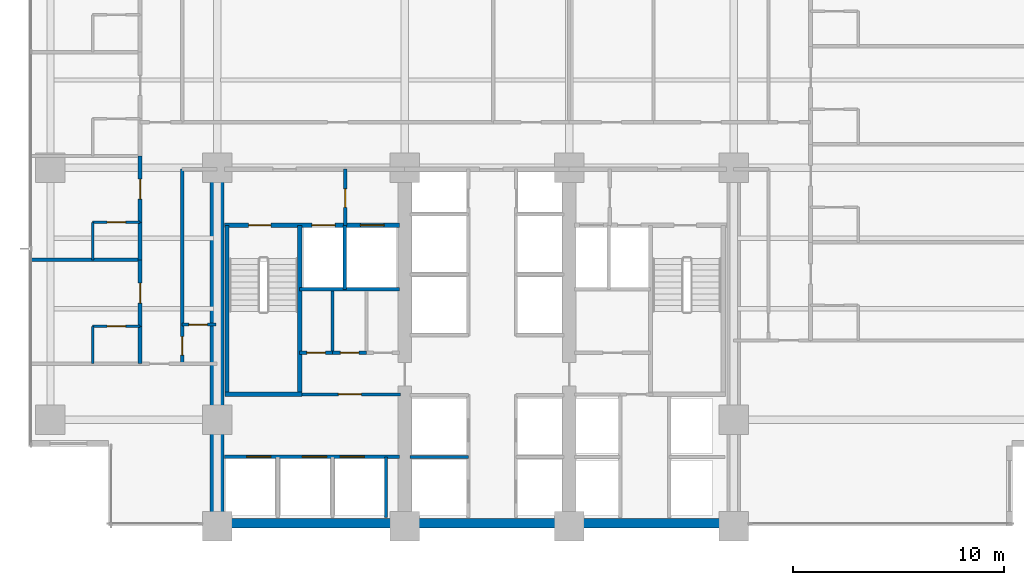
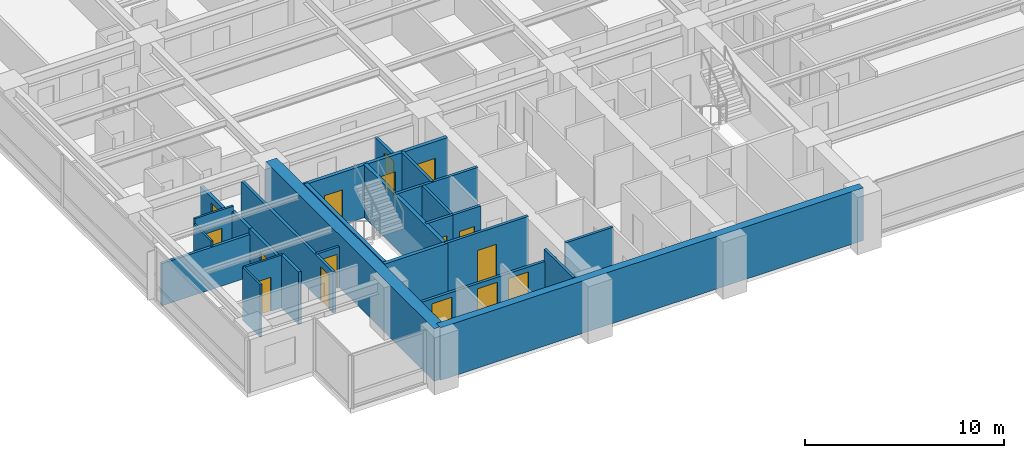
# One storey, part 7 of 16: 27 walls, 16 doors, 16 openings.
"""IFC4 building model written with IfcOpenShell, lengths in metres."""

from ifc_helpers import new_model, si_unit, direction, frame, frame_2d, origin, place, context, subcontext, project, spatial, rectangle, extrude, material, layer, layer_set, type_object, element, fill, save


model = new_model("IFC4")

# Units and contexts
model_context = context("Model", 3, precision=1e-05, world=origin(), true_north=direction((0.0, 1.0)))
body_context = subcontext(model_context, "Body", "Model", "MODEL_VIEW")
ifc_project = project(units=[si_unit("LENGTHUNIT", "METRE"), si_unit("AREAUNIT", "SQUARE_METRE"), si_unit("VOLUMEUNIT", "CUBIC_METRE"), si_unit("PLANEANGLEUNIT", "RADIAN"), si_unit("MASSUNIT", "GRAM", prefix="KILO")], contexts=[model_context])

# Site, building, storey
site_placement = place(None, origin())
site = spatial("IfcSite", under=ifc_project, at=site_placement, CompositionType="ELEMENT")
building_placement = place(site_placement, origin())
building = spatial("IfcBuilding", under=site, at=building_placement, Name="Qalmaran Belvedere Hotel", CompositionType="ELEMENT")
storey_placement = place(building_placement, frame((0.0, 0.0, 57.89990234375)))
storey = spatial("IfcBuildingStorey", under=building, at=storey_placement, Name="L14", CompositionType="ELEMENT", Elevation=57.89990234375)

# Walls
ifc_material_1 = material(Name="Concrete C60/75", Category="concrete")
ifc_layer_1 = layer(ifc_material_1, 0.64990234375, Name="Concrete C60/75")
ifc_layer_set_1 = layer_set([ifc_layer_1], Name="Concrete C60/75")
wall_type_1 = type_object("IfcWallType", Name="WL-CORE-650-C60", PredefinedType="SHEAR", material=ifc_layer_set_1)
wall_1_placement = place(storey_placement, frame((20.300048828125, 3.5, 0.0), z_axis=(0.0, 0.0, 1.0), x_axis=(0.0, 1.0, 0.0)))
element("IfcWall", 1, at=wall_1_placement, inside=storey, type_object=wall_type_1, Name="L14 West Core Shear Wall", PredefinedType="SHEAR", context=body_context, shape_type="SweptSolid", body=[
    extrude(rectangle(XDim=16.89990234375, YDim=0.64990234375, at=frame_2d((8.449951171875, 0.0))), origin(), (0.0, 0.0, 1.0), 3.22021484375),
])
ifc_material_2 = material(Name="Concrete C50/60", Category="concrete")
ifc_layer_2 = layer(ifc_material_2, 0.43994140625, Name="Concrete C50/60")
ifc_layer_set_2 = layer_set([ifc_layer_2], Name="Concrete C50/60")
wall_type_2 = type_object("IfcWallType", Name="WL-CORES-440-EXT", PredefinedType="SHEAR", material=ifc_layer_set_2)
wall_2_placement = place(storey_placement, frame((20.300048828125, 3.6298828125, 0.0), z_axis=(0.0, 0.0, 1.0), x_axis=(1.0, 0.0, 0.0)))
element("IfcWall", 2, at=wall_2_placement, inside=storey, type_object=wall_type_2, Name="L14 South Core Shear Wall", PredefinedType="SHEAR", context=body_context, shape_type="SweptSolid", body=[
    extrude(rectangle(XDim=24.5, YDim=0.43994140625, at=frame_2d((12.25, 0.0))), origin(), (0.0, 0.0, 1.0), 3.22021484375),
])

# Wall, opening, door
ifc_material_3 = material(Name="Moisture-Resistant Gypsum")
ifc_layer_3 = layer(ifc_material_3, 0.1201171875, Name="Moisture-Resistant Gypsum")
ifc_layer_set_3 = layer_set([ifc_layer_3], Name="Moisture-Resistant Gypsum")
wall_type_3 = type_object("IfcWallType", Name="WL-INT-120-BATH", PredefinedType="PARTITIONING", material=ifc_layer_set_3)
wall_3_placement = place(storey_placement, frame((14.39990234375, 12.969970703125, 0.0), z_axis=(0.0, 0.0, 1.0), x_axis=(1.0, 0.0, 0.0)))
wall_3 = element("IfcWall", 3, at=wall_3_placement, inside=storey, type_object=wall_type_3, Name="L14 Partition WL-L14-WBN00", PredefinedType="PARTITIONING", context=body_context, shape_type="SweptSolid", body=[
    extrude(rectangle(XDim=2.25, YDim=0.1201171875, at=frame_2d((1.125, 0.0))), origin(), (0.0, 0.0, 1.0), 3.22021484375),
])
opening_1_placement = place(wall_3_placement, frame((1.56494140625, 0.0, 0.0), z_axis=(0.0, 0.0, 1.0), x_axis=(-1.0, 0.0, 0.0)))
opening_1 = element("IfcOpeningElement", 4, at=opening_1_placement, cuts=wall_3, Name="Opening D-BATH", PredefinedType="OPENING", context=body_context, shape_type="SweptSolid", body=[
    extrude(rectangle(XDim=0.8798828125, YDim=2.080078125, at=frame_2d((0.43994140625, 1.0400390625))), frame((0.0, 0.070068359375, 0.0), z_axis=(0.0, -1.0, 0.0), x_axis=(1.0, 0.0, 0.0)), (0.0, 0.0, 1.0), 0.14013671875),
])
ifc_material_4 = material(Name="Engineered Oak Veneer")
door_type_1 = type_object("IfcDoorType", Name="DR-INT-BATH-880X2080", OperationType="NOTDEFINED", PredefinedType="DOOR", material=ifc_material_4)
door_1_placement = place(opening_1_placement, origin())
door_1 = element("IfcDoor", 5, at=door_1_placement, inside=storey, type_object=door_type_1, Name="L14 W Ensuite Door 01", OperationType="SINGLE_SWING_LEFT", OverallHeight=2.080078125, OverallWidth=0.8798828125, PredefinedType="DOOR", context=body_context, shape_type="SweptSolid", body=[
    extrude(rectangle(XDim=0.8798828125, YDim=2.080078125, at=frame_2d((0.43994140625, 1.0400390625))), frame((0.0, 0.02490234375, 0.0), z_axis=(0.0, -1.0, 0.0), x_axis=(1.0, 0.0, 0.0)), (0.0, 0.0, 1.0), 0.050048828125),
])
fill(opening_1, door_1)

# Wall
wall_4_placement = place(storey_placement, frame((14.39990234375, 11.199951171875, 0.0), z_axis=(0.0, 0.0, 1.0), x_axis=(0.0, 1.0, 0.0)))
element("IfcWall", 6, at=wall_4_placement, inside=storey, type_object=wall_type_3, Name="L14 Partition WL-L14-WBS00", PredefinedType="PARTITIONING", context=body_context, shape_type="SweptSolid", body=[
    extrude(rectangle(XDim=1.77001953125, YDim=0.1201171875, at=frame_2d((0.885009765625, 0.0))), origin(), (0.0, 0.0, 1.0), 3.22021484375),
])

# Wall, opening, door
wall_5_placement = place(storey_placement, frame((14.39990234375, 17.89501953125, 0.0), z_axis=(0.0, 0.0, 1.0), x_axis=(1.0, 0.0, 0.0)))
wall_5 = element("IfcWall", 7, at=wall_5_placement, inside=storey, type_object=wall_type_3, Name="L14 Partition WL-L14-WBN01", PredefinedType="PARTITIONING", context=body_context, shape_type="SweptSolid", body=[
    extrude(rectangle(XDim=2.25, YDim=0.1201171875, at=frame_2d((1.125, 0.0))), origin(), (0.0, 0.0, 1.0), 3.22021484375),
])
opening_2_placement = place(wall_5_placement, frame((1.56494140625, 0.0, 0.0), z_axis=(0.0, 0.0, 1.0), x_axis=(-1.0, 0.0, 0.0)))
opening_2 = element("IfcOpeningElement", 8, at=opening_2_placement, cuts=wall_5, Name="Opening D-BATH", PredefinedType="OPENING", context=body_context, shape_type="SweptSolid", body=[
    extrude(rectangle(XDim=0.8798828125, YDim=2.080078125, at=frame_2d((0.43994140625, 1.0400390625))), frame((0.0, 0.070068359375, 0.0), z_axis=(0.0, -1.0, 0.0), x_axis=(1.0, 0.0, 0.0)), (0.0, 0.0, 1.0), 0.14013671875),
])
door_2_placement = place(opening_2_placement, origin())
door_2 = element("IfcDoor", 9, at=door_2_placement, inside=storey, type_object=door_type_1, Name="L14 W Ensuite Door 02", OperationType="SINGLE_SWING_LEFT", OverallHeight=2.080078125, OverallWidth=0.8798828125, PredefinedType="DOOR", context=body_context, shape_type="SweptSolid", body=[
    extrude(rectangle(XDim=0.8798828125, YDim=2.080078125, at=frame_2d((0.43994140625, 1.0400390625))), frame((0.0, 0.02490234375, 0.0), z_axis=(0.0, -1.0, 0.0), x_axis=(1.0, 0.0, 0.0)), (0.0, 0.0, 1.0), 0.050048828125),
])
fill(opening_2, door_2)

# Wall
wall_6_placement = place(storey_placement, frame((14.39990234375, 16.125, 0.0), z_axis=(0.0, 0.0, 1.0), x_axis=(0.0, 1.0, 0.0)))
element("IfcWall", 10, at=wall_6_placement, inside=storey, type_object=wall_type_3, Name="L14 Partition WL-L14-WBS01", PredefinedType="PARTITIONING", context=body_context, shape_type="SweptSolid", body=[
    extrude(rectangle(XDim=1.77001953125, YDim=0.1201171875, at=frame_2d((0.885009765625, 0.0))), origin(), (0.0, 0.0, 1.0), 2.902099609375),
])

# Wall, opening, door
ifc_material_5 = material(Name="Gypsum Stud Partition")
ifc_layer_4 = layer(ifc_material_5, 0.139892578125, Name="Gypsum Stud Partition")
ifc_layer_set_4 = layer_set([ifc_layer_4], Name="Gypsum Stud Partition")
wall_type_4 = type_object("IfcWallType", Name="WL-INT-140-NR", PredefinedType="PARTITIONING", material=ifc_layer_set_4)
wall_7_placement = place(storey_placement, frame((18.64990234375, 13.050048828125, 0.0), z_axis=(0.0, 0.0, 1.0), x_axis=(1.0, 0.0, 0.0)))
wall_7 = element("IfcWall", 11, at=wall_7_placement, inside=storey, type_object=wall_type_4, Name="L14 Partition WL-L14-WCLSUB", PredefinedType="PARTITIONING", context=body_context, shape_type="SweptSolid", body=[
    extrude(rectangle(XDim=1.60009765625, YDim=0.139892578125, at=frame_2d((0.800048828125, 0.0))), origin(), (0.0, 0.0, 1.0), 2.510009765625),
])
opening_3_placement = place(wall_7_placement, frame((1.193115234375, 0.0, 0.0), z_axis=(0.0, 0.0, 1.0), x_axis=(-1.0, 0.0, 0.0)))
opening_3 = element("IfcOpeningElement", 12, at=opening_3_placement, cuts=wall_7, Name="Opening D-BATH", PredefinedType="OPENING", context=body_context, shape_type="SweptSolid", body=[
    extrude(rectangle(XDim=0.8798828125, YDim=2.080078125, at=frame_2d((0.43994140625, 1.0400390625))), frame((0.0, 0.080078125, 0.0), z_axis=(0.0, -1.0, 0.0), x_axis=(1.0, 0.0, 0.0)), (0.0, 0.0, 1.0), 0.159912109375),
])
door_3_placement = place(opening_3_placement, origin())
door_3 = element("IfcDoor", 13, at=door_3_placement, inside=storey, type_object=door_type_1, Name="L14 Closet Alcove Door", OperationType="SINGLE_SWING_RIGHT", OverallHeight=2.080078125, OverallWidth=0.8798828125, PredefinedType="DOOR", context=body_context, shape_type="SweptSolid", body=[
    extrude(rectangle(XDim=0.8798828125, YDim=2.080078125, at=frame_2d((0.43994140625, 1.0400390625))), frame((0.0, 0.02490234375, 0.0), z_axis=(0.0, -1.0, 0.0), x_axis=(1.0, 0.0, 0.0)), (0.0, 0.0, 1.0), 0.050048828125),
])
fill(opening_3, door_3)

# Walls
ifc_layer_5 = layer(ifc_material_5, 0.14990234375, Name="Gypsum Stud Partition")
ifc_layer_set_5 = layer_set([ifc_layer_5], Name="Gypsum Stud Partition")
wall_type_5 = type_object("IfcWallType", Name="WL-INT-150-EI120", PredefinedType="PARTITIONING", material=ifc_layer_set_5)
wall_8_placement = place(storey_placement, frame((26.360107421875, 14.719970703125, 0.0), z_axis=(0.0, 0.0, 1.0), x_axis=(0.0, 1.0, 0.0)))
element("IfcWall", 14, at=wall_8_placement, inside=storey, type_object=wall_type_5, Name="L14 Partition WL-FF1M-L14", PredefinedType="PARTITIONING", context=body_context, shape_type="SweptSolid", body=[
    extrude(rectangle(XDim=3.0400390625, YDim=0.14990234375, at=frame_2d((1.52001953125, 0.0))), origin(), (0.0, 0.0, 1.0), 3.22021484375),
])
wall_9_placement = place(storey_placement, frame((28.320068359375, 3.89990234375, 0.0), z_axis=(0.0, 0.0, 1.0), x_axis=(0.0, 1.0, 0.0)))
element("IfcWall", 15, at=wall_9_placement, inside=storey, type_object=wall_type_5, Name="L14 Partition WL-POM3-L14", PredefinedType="PARTITIONING", context=body_context, shape_type="SweptSolid", body=[
    extrude(rectangle(XDim=2.880126953125, YDim=0.14990234375, at=frame_2d((1.43994140625, 0.0))), origin(), (0.0, 0.0, 1.0), 3.22021484375),
])
wall_10_placement = place(storey_placement, frame((29.449951171875, 6.780029296875, 0.0), z_axis=(0.0, 0.0, 1.0), x_axis=(1.0, 0.0, 0.0)))
element("IfcWall", 16, at=wall_10_placement, inside=storey, type_object=wall_type_5, Name="L14 Partition WL-PLW-L14-67", PredefinedType="PARTITIONING", context=body_context, shape_type="SweptSolid", body=[
    extrude(rectangle(XDim=2.77001953125, YDim=0.14990234375, at=frame_2d((1.385009765625, 0.0))), origin(), (0.0, 0.0, 1.0), 3.22021484375),
])
ifc_layer_6 = layer(ifc_material_5, 0.14990234375, Name="Gypsum Stud Partition")
ifc_layer_set_6 = layer_set([ifc_layer_6], Name="Gypsum Stud Partition")
wall_type_6 = type_object("IfcWallType", Name="WL-INT-150-EI60", PredefinedType="PARTITIONING", material=ifc_layer_set_6)
wall_11_placement = place(storey_placement, frame((25.781005859375, 11.719970703125, 0.0), z_axis=(0.0, 0.0, 1.0), x_axis=(0.0, 1.0, 0.0)))
element("IfcWall", 17, at=wall_11_placement, inside=storey, type_object=wall_type_6, Name="L14 Partition WL-L14-KWV1", PredefinedType="PARTITIONING", context=body_context, shape_type="SweptSolid", body=[
    extrude(rectangle(XDim=2.929931640625, YDim=0.14990234375, at=frame_2d((1.46484375, 0.0))), origin(), (0.0, 0.0, 1.0), 3.22021484375),
])

# Wall, opening, door
ifc_layer_7 = layer(ifc_material_5, 0.159912109375, Name="Gypsum Stud Partition")
ifc_layer_set_7 = layer_set([ifc_layer_7], Name="Gypsum Stud Partition")
wall_type_7 = type_object("IfcWallType", Name="WL-INT-160-EI120", PredefinedType="PARTITIONING", material=ifc_layer_set_7)
wall_12_placement = place(storey_placement, frame((26.3798828125, 17.760009765625, 0.0), z_axis=(0.0, 0.0, 1.0), x_axis=(0.0, 1.0, 0.0)))
wall_12 = element("IfcWall", 18, at=wall_12_placement, inside=storey, type_object=wall_type_7, Name="L14 Partition WL-FFSV1-L14", PredefinedType="PARTITIONING", context=body_context, shape_type="SweptSolid", body=[
    extrude(rectangle(XDim=2.659912109375, YDim=0.159912109375, at=frame_2d((1.330078125, 0.0))), origin(), (0.0, 0.0, 1.0), 2.510009765625),
])
opening_4_placement = place(wall_12_placement, frame((0.85009765625, 0.0, 0.0)))
opening_4 = element("IfcOpeningElement", 19, at=opening_4_placement, cuts=wall_12, Name="Opening FD60B", PredefinedType="OPENING", context=body_context, shape_type="SweptSolid", body=[
    extrude(rectangle(XDim=0.8798828125, YDim=2.080078125, at=frame_2d((0.43994140625, 1.0400390625))), frame((0.0, 0.08984375, 0.0), z_axis=(0.0, -1.0, 0.0), x_axis=(1.0, 0.0, 0.0)), (0.0, 0.0, 1.0), 0.179931640625),
])
ifc_material_6 = material(Name="Steel S355JR", Category="steel")
door_type_2 = type_object("IfcDoorType", Name="DR-FD60B-880X2080", OperationType="NOTDEFINED", PredefinedType="DOOR", material=ifc_material_6)
door_4_placement = place(opening_4_placement, origin())
door_4 = element("IfcDoor", 20, at=door_4_placement, inside=storey, type_object=door_type_2, Name="L14 Service Lobby West Door", OperationType="SINGLE_SWING_RIGHT", OverallHeight=2.080078125, OverallWidth=0.8798828125, PredefinedType="DOOR", context=body_context, shape_type="SweptSolid", body=[
    extrude(rectangle(XDim=0.8798828125, YDim=2.080078125, at=frame_2d((0.43994140625, 1.0400390625))), frame((0.0, 0.02490234375, 0.0), z_axis=(0.0, -1.0, 0.0), x_axis=(1.0, 0.0, 0.0)), (0.0, 0.0, 1.0), 0.050048828125),
])
fill(opening_4, door_4)

# Wall
wall_13_placement = place(storey_placement, frame((24.219970703125, 14.719970703125, 0.0), z_axis=(0.0, 0.0, 1.0), x_axis=(1.0, 0.0, 0.0)))
element("IfcWall", 21, at=wall_13_placement, inside=storey, type_object=wall_type_7, Name="L14 Partition WL-FF1S-L14", PredefinedType="PARTITIONING", context=body_context, shape_type="SweptSolid", body=[
    extrude(rectangle(XDim=4.72998046875, YDim=0.159912109375, at=frame_2d((2.364990234375, 0.0))), origin(), (0.0, 0.0, 1.0), 3.22021484375),
])

# Wall, openings, doors
wall_14_placement = place(storey_placement, frame((20.64990234375, 6.780029296875, 0.0), z_axis=(0.0, 0.0, 1.0), x_axis=(1.0, 0.0, 0.0)))
wall_14 = element("IfcWall", 22, at=wall_14_placement, inside=storey, type_object=wall_type_7, Name="L14 Partition WL-POS-L14", PredefinedType="PARTITIONING", context=body_context, shape_type="SweptSolid", body=[
    extrude(rectangle(XDim=8.300048828125, YDim=0.159912109375, at=frame_2d((4.14990234375, 0.0))), origin(), (0.0, 0.0, 1.0), 2.510009765625),
])
opening_5_placement = place(wall_14_placement, frame((3.69482421875, 0.0, 0.0)))
opening_5 = element("IfcOpeningElement", 23, at=opening_5_placement, cuts=wall_14, Name="Opening LD-PO", PredefinedType="OPENING", context=body_context, shape_type="SweptSolid", body=[
    extrude(rectangle(XDim=1.14990234375, YDim=2.199951171875, at=frame_2d((0.574951171875, 1.10009765625))), frame((0.0, 0.08984375, 0.0), z_axis=(0.0, -1.0, 0.0), x_axis=(1.0, 0.0, 0.0)), (0.0, 0.0, 1.0), 0.179931640625),
])
opening_6_placement = place(wall_14_placement, frame((5.4921875, 0.0, 0.0)))
opening_6 = element("IfcOpeningElement", 24, at=opening_6_placement, cuts=wall_14, Name="Opening LD-PO", PredefinedType="OPENING", context=body_context, shape_type="SweptSolid", body=[
    extrude(rectangle(XDim=1.14990234375, YDim=2.199951171875, at=frame_2d((0.574951171875, 1.10009765625))), frame((0.0, 0.08984375, 0.0), z_axis=(0.0, -1.0, 0.0), x_axis=(1.0, 0.0, 0.0)), (0.0, 0.0, 1.0), 0.179931640625),
])
opening_7_placement = place(wall_14_placement, frame((1.058837890625, 0.0, 0.0)))
opening_7 = element("IfcOpeningElement", 25, at=opening_7_placement, cuts=wall_14, Name="Opening LD-PO", PredefinedType="OPENING", context=body_context, shape_type="SweptSolid", body=[
    extrude(rectangle(XDim=1.14990234375, YDim=2.199951171875, at=frame_2d((0.574951171875, 1.10009765625))), frame((0.0, 0.08984375, 0.0), z_axis=(0.0, -1.0, 0.0), x_axis=(1.0, 0.0, 0.0)), (0.0, 0.0, 1.0), 0.179931640625),
])
ifc_material_7 = material(Name="Anodised Bronze Aluminium", Category="aluminium")
door_type_3 = type_object("IfcDoorType", Name="DR-LIFT-PO-1150X2200", OperationType="DOUBLE_DOOR_SLIDING", PredefinedType="DOOR", material=ifc_material_7)
door_5_placement = place(opening_5_placement, origin())
door_5 = element("IfcDoor", 26, at=door_5_placement, inside=storey, type_object=door_type_3, Name="L14 PO1 Shuttle Landing Door", OperationType="DOUBLE_DOOR_SLIDING", OverallHeight=2.199951171875, OverallWidth=1.14990234375, PredefinedType="DOOR", context=body_context, shape_type="SweptSolid", body=[
    extrude(rectangle(XDim=1.14990234375, YDim=2.199951171875, at=frame_2d((0.574951171875, 1.10009765625))), frame((0.0, 0.02490234375, 0.0), z_axis=(0.0, -1.0, 0.0), x_axis=(1.0, 0.0, 0.0)), (0.0, 0.0, 1.0), 0.050048828125),
])
fill(opening_5, door_5)
door_6_placement = place(opening_6_placement, origin())
door_6 = element("IfcDoor", 27, at=door_6_placement, inside=storey, type_object=door_type_3, Name="L14 PO2 Shuttle Landing Door", OperationType="DOUBLE_DOOR_SLIDING", OverallHeight=2.199951171875, OverallWidth=1.14990234375, PredefinedType="DOOR", context=body_context, shape_type="SweptSolid", body=[
    extrude(rectangle(XDim=1.14990234375, YDim=2.199951171875, at=frame_2d((0.574951171875, 1.10009765625))), frame((0.0, 0.02490234375, 0.0), z_axis=(0.0, -1.0, 0.0), x_axis=(1.0, 0.0, 0.0)), (0.0, 0.0, 1.0), 0.050048828125),
])
fill(opening_6, door_6)
door_7_placement = place(opening_7_placement, origin())
door_7 = element("IfcDoor", 28, at=door_7_placement, inside=storey, type_object=door_type_3, Name="L14 PO3 Shuttle Landing Door", OperationType="DOUBLE_DOOR_SLIDING", OverallHeight=2.199951171875, OverallWidth=1.14990234375, PredefinedType="DOOR", context=body_context, shape_type="SweptSolid", body=[
    extrude(rectangle(XDim=1.14990234375, YDim=2.199951171875, at=frame_2d((0.574951171875, 1.10009765625))), frame((0.0, 0.02490234375, 0.0), z_axis=(0.0, -1.0, 0.0), x_axis=(1.0, 0.0, 0.0)), (0.0, 0.0, 1.0), 0.050048828125),
])
fill(opening_7, door_7)

# Wall, opening, door
wall_15_placement = place(storey_placement, frame((24.199951171875, 9.739990234375, 0.0), z_axis=(0.0, 0.0, 1.0), x_axis=(1.0, 0.0, 0.0)))
wall_15 = element("IfcWall", 29, at=wall_15_placement, inside=storey, type_object=wall_type_7, Name="L14 Partition WL-PON-L14", PredefinedType="PARTITIONING", context=body_context, shape_type="SweptSolid", body=[
    extrude(rectangle(XDim=4.800048828125, YDim=0.159912109375, at=frame_2d((2.39990234375, 0.0))), origin(), (0.0, 0.0, 1.0), 3.22021484375),
])
opening_8_placement = place(wall_15_placement, frame((1.85009765625, 0.0, 0.0)))
opening_8 = element("IfcOpeningElement", 30, at=opening_8_placement, cuts=wall_15, Name="Opening FD90", PredefinedType="OPENING", context=body_context, shape_type="SweptSolid", body=[
    extrude(rectangle(XDim=1.10009765625, YDim=2.14990234375, at=frame_2d((0.550048828125, 1.074951171875))), frame((0.0, 0.08984375, 0.0), z_axis=(0.0, -1.0, 0.0), x_axis=(1.0, 0.0, 0.0)), (0.0, 0.0, 1.0), 0.179931640625),
])
door_type_4 = type_object("IfcDoorType", Name="DR-FD90-1100X2150", OperationType="NOTDEFINED", PredefinedType="DOOR", material=ifc_material_6)
door_8_placement = place(opening_8_placement, origin())
door_8 = element("IfcDoor", 31, at=door_8_placement, inside=storey, type_object=door_type_4, Name="L14 Shuttle Lobby Passage Door", OperationType="SINGLE_SWING_LEFT", OverallHeight=2.14990234375, OverallWidth=1.10009765625, PredefinedType="DOOR", context=body_context, shape_type="SweptSolid", body=[
    extrude(rectangle(XDim=1.10009765625, YDim=2.14990234375, at=frame_2d((0.550048828125, 1.074951171875))), frame((0.0, 0.02490234375, 0.0), z_axis=(0.0, -1.0, 0.0), x_axis=(1.0, 0.0, 0.0)), (0.0, 0.0, 1.0), 0.050048828125),
])
fill(opening_8, door_8)

ifc_layer_8 = layer(ifc_material_5, 0.159912109375, Name="Gypsum Stud Partition")
ifc_layer_set_8 = layer_set([ifc_layer_8], Name="Gypsum Stud Partition")
wall_type_8 = type_object("IfcWallType", Name="WL-INT-160-EI60", PredefinedType="PARTITIONING", material=ifc_layer_set_8)
wall_16_placement = place(storey_placement, frame((24.219970703125, 11.719970703125, 0.0), z_axis=(0.0, 0.0, 1.0), x_axis=(1.0, 0.0, 0.0)))
wall_16 = element("IfcWall", 32, at=wall_16_placement, inside=storey, type_object=wall_type_8, Name="L14 Partition WL-L14-KWE1", PredefinedType="PARTITIONING", context=body_context, shape_type="SweptSolid", body=[
    extrude(rectangle(XDim=1.56103515625, YDim=0.159912109375, at=frame_2d((0.780517578125, 0.0))), origin(), (0.0, 0.0, 1.0), 3.22021484375),
])
opening_9_placement = place(wall_16_placement, frame((0.340576171875, 0.0, 0.0)))
opening_9 = element("IfcOpeningElement", 33, at=opening_9_placement, cuts=wall_16, Name="Opening FD60B", PredefinedType="OPENING", context=body_context, shape_type="SweptSolid", body=[
    extrude(rectangle(XDim=0.8798828125, YDim=2.080078125, at=frame_2d((0.43994140625, 1.0400390625))), frame((0.0, 0.08984375, 0.0), z_axis=(0.0, -1.0, 0.0), x_axis=(1.0, 0.0, 0.0)), (0.0, 0.0, 1.0), 0.179931640625),
])
door_9_placement = place(opening_9_placement, origin())
door_9 = element("IfcDoor", 34, at=door_9_placement, inside=storey, type_object=door_type_2, Name="L14 Staff Core WC Door", OperationType="SINGLE_SWING_LEFT", OverallHeight=2.080078125, OverallWidth=0.8798828125, PredefinedType="DOOR", context=body_context, shape_type="SweptSolid", body=[
    extrude(rectangle(XDim=0.8798828125, YDim=2.080078125, at=frame_2d((0.43994140625, 1.0400390625))), frame((0.0, 0.02490234375, 0.0), z_axis=(0.0, -1.0, 0.0), x_axis=(1.0, 0.0, 0.0)), (0.0, 0.0, 1.0), 0.050048828125),
])
fill(opening_9, door_9)

wall_17_placement = place(storey_placement, frame((25.781005859375, 11.719970703125, 0.0), z_axis=(0.0, 0.0, 1.0), x_axis=(1.0, 0.0, 0.0)))
wall_17 = element("IfcWall", 35, at=wall_17_placement, inside=storey, type_object=wall_type_8, Name="L14 Partition WL-L14-KWE2", PredefinedType="PARTITIONING", context=body_context, shape_type="SweptSolid", body=[
    extrude(rectangle(XDim=1.608154296875, YDim=0.159912109375, at=frame_2d((0.80419921875, 0.0))), origin(), (0.0, 0.0, 1.0), 3.22021484375),
])
opening_10_placement = place(wall_17_placement, frame((0.364013671875, 0.0, 0.0)))
opening_10 = element("IfcOpeningElement", 36, at=opening_10_placement, cuts=wall_17, Name="Opening FD60B", PredefinedType="OPENING", context=body_context, shape_type="SweptSolid", body=[
    extrude(rectangle(XDim=0.8798828125, YDim=2.080078125, at=frame_2d((0.43994140625, 1.0400390625))), frame((0.0, 0.08984375, 0.0), z_axis=(0.0, -1.0, 0.0), x_axis=(1.0, 0.0, 0.0)), (0.0, 0.0, 1.0), 0.179931640625),
])
door_10_placement = place(opening_10_placement, origin())
door_10 = element("IfcDoor", 37, at=door_10_placement, inside=storey, type_object=door_type_2, Name="L14 Electrical Distribution Room Door", OperationType="SINGLE_SWING_RIGHT", OverallHeight=2.080078125, OverallWidth=0.8798828125, PredefinedType="DOOR", context=body_context, shape_type="SweptSolid", body=[
    extrude(rectangle(XDim=0.8798828125, YDim=2.080078125, at=frame_2d((0.43994140625, 1.0400390625))), frame((0.0, 0.02490234375, 0.0), z_axis=(0.0, -1.0, 0.0), x_axis=(1.0, 0.0, 0.0)), (0.0, 0.0, 1.0), 0.050048828125),
])
fill(opening_10, door_10)

wall_18_placement = place(storey_placement, frame((18.64990234375, 11.199951171875, 0.0), z_axis=(0.0, 0.0, 1.0), x_axis=(0.0, 1.0, 0.0)))
wall_18 = element("IfcWall", 38, at=wall_18_placement, inside=storey, type_object=wall_type_8, Name="L14 Partition WL-L14-WCL", PredefinedType="PARTITIONING", context=body_context, shape_type="SweptSolid", body=[
    extrude(rectangle(XDim=9.219970703125, YDim=0.159912109375, at=frame_2d((4.60986328125, 0.0))), origin(), (0.0, 0.0, 1.0), 2.510009765625),
])
opening_11_placement = place(wall_18_placement, frame((1.27978515625, 0.0, 0.0), z_axis=(0.0, 0.0, 1.0), x_axis=(-1.0, 0.0, 0.0)))
opening_11 = element("IfcOpeningElement", 39, at=opening_11_placement, cuts=wall_18, Name="Opening FD60B", PredefinedType="OPENING", context=body_context, shape_type="SweptSolid", body=[
    extrude(rectangle(XDim=0.8798828125, YDim=2.080078125, at=frame_2d((0.43994140625, 1.0400390625))), frame((0.0, 0.08984375, 0.0), z_axis=(0.0, -1.0, 0.0), x_axis=(1.0, 0.0, 0.0)), (0.0, 0.0, 1.0), 0.179931640625),
])
door_11_placement = place(opening_11_placement, origin())
door_11 = element("IfcDoor", 40, at=door_11_placement, inside=storey, type_object=door_type_2, Name="L14 West Closet Door", OperationType="SINGLE_SWING_LEFT", OverallHeight=2.080078125, OverallWidth=0.8798828125, PredefinedType="DOOR", context=body_context, shape_type="SweptSolid", body=[
    extrude(rectangle(XDim=0.8798828125, YDim=2.080078125, at=frame_2d((0.43994140625, 1.0400390625))), frame((0.0, 0.02490234375, 0.0), z_axis=(0.0, -1.0, 0.0), x_axis=(1.0, 0.0, 0.0)), (0.0, 0.0, 1.0), 0.050048828125),
])
fill(opening_11, door_11)

# Walls
wall_19_placement = place(storey_placement, frame((11.469970703125, 16.125, 0.0), z_axis=(0.0, 0.0, 1.0), x_axis=(1.0, 0.0, 0.0)))
element("IfcWall", 41, at=wall_19_placement, inside=storey, type_object=wall_type_8, Name="L14 Partition WL-L14-WU00", PredefinedType="PARTITIONING", context=body_context, shape_type="SweptSolid", body=[
    extrude(rectangle(XDim=5.179931640625, YDim=0.159912109375, at=frame_2d((2.58984375, 0.0))), origin(), (0.0, 0.0, 1.0), 2.5830078125),
])
ifc_layer_9 = layer(ifc_material_5, 0.179931640625, Name="Gypsum Stud Partition")
ifc_layer_set_9 = layer_set([ifc_layer_9], Name="Gypsum Stud Partition")
wall_type_9 = type_object("IfcWallType", Name="WL-INT-180-EI60", PredefinedType="PARTITIONING", material=ifc_layer_set_9)
wall_20_placement = place(storey_placement, frame((16.64990234375, 11.199951171875, 0.0), z_axis=(0.0, 0.0, 1.0), x_axis=(0.0, 1.0, 0.0)))
element("IfcWall", 42, at=wall_20_placement, inside=storey, type_object=wall_type_9, Name="L14 Partition WL-L14-WBC00", PredefinedType="PARTITIONING", context=body_context, shape_type="SweptSolid", body=[
    extrude(rectangle(XDim=1.77001953125, YDim=0.179931640625, at=frame_2d((0.885009765625, 0.0))), origin(), (0.0, 0.0, 1.0), 3.22021484375),
])

# Wall, opening, door
wall_21_placement = place(storey_placement, frame((16.64990234375, 12.969970703125, 0.0), z_axis=(0.0, 0.0, 1.0), x_axis=(0.0, 1.0, 0.0)))
wall_21 = element("IfcWall", 43, at=wall_21_placement, inside=storey, type_object=wall_type_9, Name="L14 Partition WL-L14-WEC00", PredefinedType="PARTITIONING", context=body_context, shape_type="SweptSolid", body=[
    extrude(rectangle(XDim=3.155029296875, YDim=0.179931640625, at=frame_2d((1.57763671875, 0.0))), origin(), (0.0, 0.0, 1.0), 2.902099609375),
])
opening_12_placement = place(wall_21_placement, frame((1.1025390625, 0.0, 0.0)))
opening_12 = element("IfcOpeningElement", 44, at=opening_12_placement, cuts=wall_21, Name="Opening FD60", PredefinedType="OPENING", context=body_context, shape_type="SweptSolid", body=[
    extrude(rectangle(XDim=0.949951171875, YDim=2.14990234375, at=frame_2d((0.47509765625, 1.074951171875))), frame((0.0, 0.10009765625, 0.0), z_axis=(0.0, -1.0, 0.0), x_axis=(1.0, 0.0, 0.0)), (0.0, 0.0, 1.0), 0.199951171875),
])
door_type_5 = type_object("IfcDoorType", Name="DR-FD60-950X2150", OperationType="NOTDEFINED", PredefinedType="DOOR", material=ifc_material_4)
door_12_placement = place(opening_12_placement, origin())
door_12 = element("IfcDoor", 45, at=door_12_placement, inside=storey, type_object=door_type_5, Name="L14 W Wing Door 01", OperationType="SINGLE_SWING_RIGHT", OverallHeight=2.14990234375, OverallWidth=0.949951171875, PredefinedType="DOOR", context=body_context, shape_type="SweptSolid", body=[
    extrude(rectangle(XDim=0.949951171875, YDim=2.14990234375, at=frame_2d((0.47509765625, 1.074951171875))), frame((0.0, 0.02490234375, 0.0), z_axis=(0.0, -1.0, 0.0), x_axis=(1.0, 0.0, 0.0)), (0.0, 0.0, 1.0), 0.050048828125),
])
fill(opening_12, door_12)

# Wall
wall_22_placement = place(storey_placement, frame((16.64990234375, 16.125, 0.0), z_axis=(0.0, 0.0, 1.0), x_axis=(0.0, 1.0, 0.0)))
element("IfcWall", 46, at=wall_22_placement, inside=storey, type_object=wall_type_9, Name="L14 Partition WL-L14-WBC01", PredefinedType="PARTITIONING", context=body_context, shape_type="SweptSolid", body=[
    extrude(rectangle(XDim=1.77001953125, YDim=0.179931640625, at=frame_2d((0.885009765625, 0.0))), origin(), (0.0, 0.0, 1.0), 2.902099609375),
])

# Wall, opening, door
wall_23_placement = place(storey_placement, frame((16.64990234375, 17.89501953125, 0.0), z_axis=(0.0, 0.0, 1.0), x_axis=(0.0, 1.0, 0.0)))
wall_23 = element("IfcWall", 47, at=wall_23_placement, inside=storey, type_object=wall_type_9, Name="L14 Partition WL-L14-WEC01", PredefinedType="PARTITIONING", context=body_context, shape_type="SweptSolid", body=[
    extrude(rectangle(XDim=3.155029296875, YDim=0.179931640625, at=frame_2d((1.57763671875, 0.0))), origin(), (0.0, 0.0, 1.0), 2.510009765625),
])
opening_13_placement = place(wall_23_placement, frame((1.1025390625, 0.0, 0.0)))
opening_13 = element("IfcOpeningElement", 48, at=opening_13_placement, cuts=wall_23, Name="Opening FD60", PredefinedType="OPENING", context=body_context, shape_type="SweptSolid", body=[
    extrude(rectangle(XDim=0.949951171875, YDim=2.14990234375, at=frame_2d((0.47509765625, 1.074951171875))), frame((0.0, 0.10009765625, 0.0), z_axis=(0.0, -1.0, 0.0), x_axis=(1.0, 0.0, 0.0)), (0.0, 0.0, 1.0), 0.199951171875),
])
door_13_placement = place(opening_13_placement, origin())
door_13 = element("IfcDoor", 49, at=door_13_placement, inside=storey, type_object=door_type_5, Name="L14 W Wing Door 02", OperationType="SINGLE_SWING_RIGHT", OverallHeight=2.14990234375, OverallWidth=0.949951171875, PredefinedType="DOOR", context=body_context, shape_type="SweptSolid", body=[
    extrude(rectangle(XDim=0.949951171875, YDim=2.14990234375, at=frame_2d((0.47509765625, 1.074951171875))), frame((0.0, 0.02490234375, 0.0), z_axis=(0.0, -1.0, 0.0), x_axis=(1.0, 0.0, 0.0)), (0.0, 0.0, 1.0), 0.050048828125),
])
fill(opening_13, door_13)

# Walls
ifc_layer_10 = layer(ifc_material_2, 0.2099609375, Name="Concrete C50/60")
ifc_layer_set_10 = layer_set([ifc_layer_10], Name="Concrete C50/60")
wall_type_10 = type_object("IfcWallType", Name="WL-STAIR-210-C50", PredefinedType="SHEAR", material=ifc_layer_set_10)
for number, where, z_axis, x_axis, name in (
    (50, (20.77490234375, 9.7451171875, 0.0), (0.0, 0.0, 1.0), (0.0, 1.0, 0.0), "L14 Stair ST-1 West Bearing Wall"),
    (51, (24.22509765625, 9.7451171875, 0.0), (0.0, 0.0, 1.0), (0.0, 1.0, 0.0), "L14 Stair ST-1 East Bearing Wall"),
):
    element("IfcWall", number, at=place(storey_placement, frame(where, z_axis=z_axis, x_axis=x_axis)), inside=storey, type_object=wall_type_10, Name=name, PredefinedType="SHEAR", context=body_context, shape_type="SweptSolid", body=[
        extrude(rectangle(XDim=8.009765625, YDim=0.2099609375, at=frame_2d((4.0048828125, 0.0))), origin(), (0.0, 0.0, 1.0), 3.22021484375),
    ])
wall_24_placement = place(storey_placement, frame((20.669921875, 9.7451171875, 0.0), z_axis=(0.0, 0.0, 1.0), x_axis=(1.0, 0.0, 0.0)))
element("IfcWall", 52, at=wall_24_placement, inside=storey, type_object=wall_type_10, Name="L14 Stair ST-1 South Bearing Wall", PredefinedType="SHEAR", context=body_context, shape_type="SweptSolid", body=[
    extrude(rectangle(XDim=3.66015625, YDim=0.2099609375, at=frame_2d((1.830078125, 0.0))), origin(), (0.0, 0.0, 1.0), 3.22021484375),
])

# Wall, openings, doors
wall_25_placement = place(storey_placement, frame((20.64990234375, 17.7548828125, 0.0), z_axis=(0.0, 0.0, 1.0), x_axis=(1.0, 0.0, 0.0)))
wall_25 = element("IfcWall", 53, at=wall_25_placement, inside=storey, type_object=wall_type_10, Name="L14 West Lobby and Stair ST-1 North Bearing Wall", PredefinedType="SHEAR", context=body_context, shape_type="SweptSolid", body=[
    extrude(rectangle(XDim=8.300048828125, YDim=0.2099609375, at=frame_2d((4.14990234375, 0.0))), origin(), (0.0, 0.0, 1.0), 3.22021484375),
])
opening_14_placement = place(wall_25_placement, frame((2.199951171875, 0.0, 0.0), z_axis=(0.0, 0.0, 1.0), x_axis=(-1.0, 0.0, 0.0)))
opening_14 = element("IfcOpeningElement", 54, at=opening_14_placement, cuts=wall_25, Name="Opening FD90S2", PredefinedType="OPENING", context=body_context, shape_type="SweptSolid", body=[
    extrude(rectangle(XDim=1.050048828125, YDim=2.14990234375, at=frame_2d((0.52490234375, 1.074951171875))), frame((0.0, 0.114990234375, 0.0), z_axis=(0.0, -1.0, 0.0), x_axis=(1.0, 0.0, 0.0)), (0.0, 0.0, 1.0), 0.22998046875),
])
opening_15_placement = place(wall_25_placement, frame((4.14990234375, 0.0, 0.0)))
opening_15 = element("IfcOpeningElement", 55, at=opening_15_placement, cuts=wall_25, Name="Opening LD-FF", PredefinedType="OPENING", context=body_context, shape_type="SweptSolid", body=[
    extrude(rectangle(XDim=1.10009765625, YDim=2.179931640625, at=frame_2d((0.550048828125, 1.08984375))), frame((0.0, 0.114990234375, 0.0), z_axis=(0.0, -1.0, 0.0), x_axis=(1.0, 0.0, 0.0)), (0.0, 0.0, 1.0), 0.22998046875),
])
opening_16_placement = place(wall_25_placement, frame((6.449951171875, 0.0, 0.0)))
opening_16 = element("IfcOpeningElement", 56, at=opening_16_placement, cuts=wall_25, Name="Opening LD-SV", PredefinedType="OPENING", context=body_context, shape_type="SweptSolid", body=[
    extrude(rectangle(XDim=1.1201171875, YDim=2.199951171875, at=frame_2d((0.56005859375, 1.10009765625))), frame((0.0, 0.114990234375, 0.0), z_axis=(0.0, -1.0, 0.0), x_axis=(1.0, 0.0, 0.0)), (0.0, 0.0, 1.0), 0.22998046875),
])
door_type_6 = type_object("IfcDoorType", Name="DR-FD90S-1050X2150", OperationType="NOTDEFINED", PredefinedType="DOOR", material=ifc_material_6)
door_14_placement = place(opening_14_placement, origin())
door_14 = element("IfcDoor", 57, at=door_14_placement, inside=storey, type_object=door_type_6, Name="L14 Stair ST-1 Door", OperationType="SINGLE_SWING_RIGHT", OverallHeight=2.14990234375, OverallWidth=1.050048828125, PredefinedType="DOOR", context=body_context, shape_type="SweptSolid", body=[
    extrude(rectangle(XDim=1.050048828125, YDim=2.14990234375, at=frame_2d((0.52490234375, 1.074951171875))), frame((0.0, 0.02490234375, 0.0), z_axis=(0.0, -1.0, 0.0), x_axis=(1.0, 0.0, 0.0)), (0.0, 0.0, 1.0), 0.050048828125),
])
fill(opening_14, door_14)
ifc_material_8 = material(Name="Stainless Steel 1.4401", Category="steel")
door_type_7 = type_object("IfcDoorType", Name="DR-LIFT-FF-1100X2180", OperationType="DOUBLE_DOOR_SLIDING", PredefinedType="DOOR", material=ifc_material_8)
door_15_placement = place(opening_15_placement, origin())
door_15 = element("IfcDoor", 58, at=door_15_placement, inside=storey, type_object=door_type_7, Name="L14 FF1 Lift Landing Door", OperationType="DOUBLE_DOOR_SLIDING", OverallHeight=2.179931640625, OverallWidth=1.10009765625, PredefinedType="DOOR", context=body_context, shape_type="SweptSolid", body=[
    extrude(rectangle(XDim=1.10009765625, YDim=2.179931640625, at=frame_2d((0.550048828125, 1.08984375))), frame((0.0, 0.02490234375, 0.0), z_axis=(0.0, -1.0, 0.0), x_axis=(1.0, 0.0, 0.0)), (0.0, 0.0, 1.0), 0.050048828125),
])
fill(opening_15, door_15)
door_type_8 = type_object("IfcDoorType", Name="DR-LIFT-SV-1120X2200", OperationType="DOUBLE_DOOR_SLIDING", PredefinedType="DOOR", material=ifc_material_8)
door_16_placement = place(opening_16_placement, origin())
door_16 = element("IfcDoor", 59, at=door_16_placement, inside=storey, type_object=door_type_8, Name="L14 SV1 Lift Landing Door", OperationType="DOUBLE_DOOR_SLIDING", OverallHeight=2.199951171875, OverallWidth=1.1201171875, PredefinedType="DOOR", context=body_context, shape_type="SweptSolid", body=[
    extrude(rectangle(XDim=1.1201171875, YDim=2.199951171875, at=frame_2d((0.56005859375, 1.10009765625))), frame((0.0, 0.02490234375, 0.0), z_axis=(0.0, -1.0, 0.0), x_axis=(1.0, 0.0, 0.0)), (0.0, 0.0, 1.0), 0.050048828125),
])
fill(opening_16, door_16)

save(model, "model.ifc")
